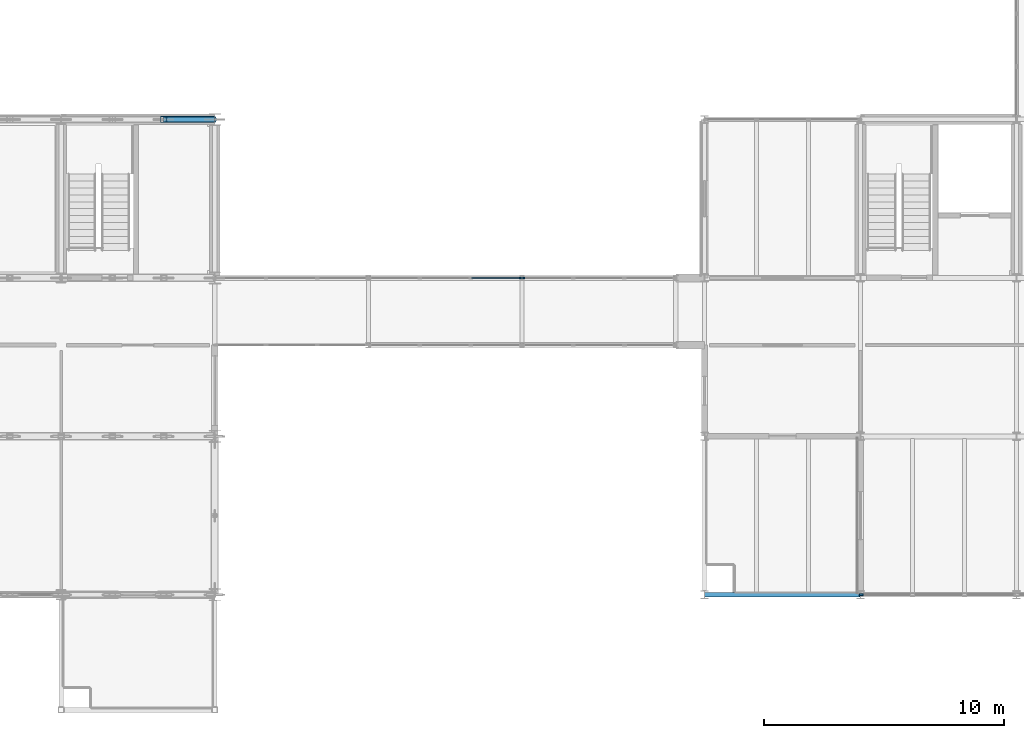
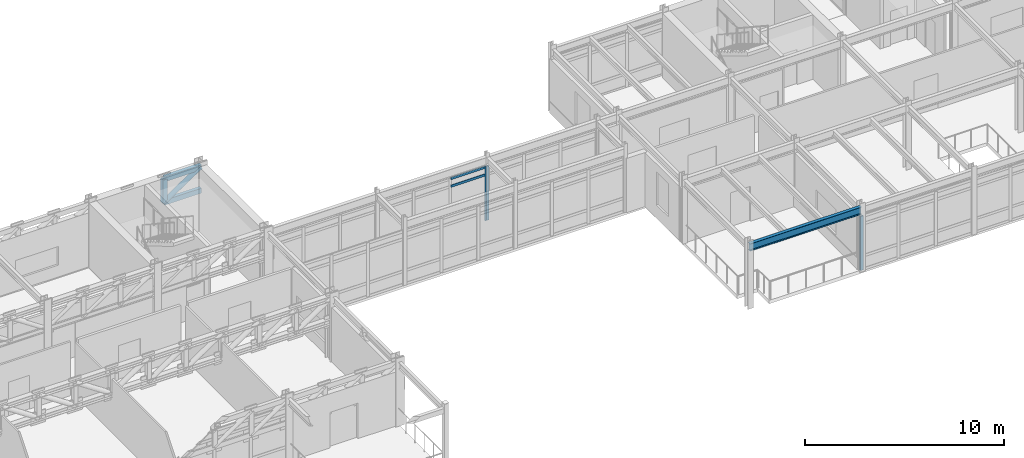
# One storey, part 67 of 144: 9 members, 1 beam, 3 elements without a shape of their own.
"""IFC4 building model written with IfcOpenShell, lengths in metres."""

from ifc_helpers import new_model, si_unit, direction, frame, origin, origin_2d, place, context, subcontext, project, spatial, rectangle, hollow_rectangle, hollow_circle, i_section, extrude, material, layer, layer_set, material_profile, profile_set, type_object, element, aggregate, save


model = new_model("IFC4")

# Units and contexts
model_context = context("Model", 3, precision=1e-05, world=origin(), true_north=direction((0.0, 1.0)))
body_context = subcontext(model_context, "Body", "Model", "MODEL_VIEW")
ifc_project = project(units=[si_unit("LENGTHUNIT", "METRE"), si_unit("AREAUNIT", "SQUARE_METRE"), si_unit("VOLUMEUNIT", "CUBIC_METRE"), si_unit("PLANEANGLEUNIT", "RADIAN"), si_unit("MASSUNIT", "GRAM", prefix="KILO")], contexts=[model_context])

# Site, building, storey
site_placement = place(None, origin())
site = spatial("IfcSite", under=ifc_project, at=site_placement, CompositionType="ELEMENT")
building_placement = place(site_placement, origin())
building = spatial("IfcBuilding", under=site, at=building_placement, Name="Trelmorton Wharf Fire Station", CompositionType="ELEMENT")
storey_placement = place(building_placement, frame((0.0, 0.0, 5.39990234375)))
storey = spatial("IfcBuildingStorey", under=building, at=storey_placement, Name="L01", CompositionType="ELEMENT", Elevation=5.39990234375)

# Curtain wall, member
ifc_material_1 = material(Name="Anodised aluminium AW-6063", Category="aluminium")
ifc_layer_1 = layer(ifc_material_1, 0.139892578125)
ifc_layer_set_1 = layer_set([ifc_layer_1], Name="Anodised aluminium AW-6063")
curtain_wall_type_1 = type_object("IfcCurtainWallType", Name="CW_BRDG_A", PredefinedType="USERDEFINED", material=ifc_layer_set_1)
curtain_wall_1_placement = place(storey_placement, origin())
curtain_wall_1 = element("IfcCurtainWall", 1, at=curtain_wall_1_placement, inside=storey, type_object=curtain_wall_type_1, Name="CW-BR-L01-157", ObjectType="UNITISED CURTAIN WALL", PredefinedType="USERDEFINED")
ifc_material_profile_1 = material_profile(ifc_material_1, rectangle(XDim=0.06494140625, YDim=0.159912109375, at=origin_2d()), Name="ALU-65x160")
ifc_profile_set_1 = profile_set([ifc_material_profile_1], Name="Anodised aluminium AW-6063")
member_type_1 = type_object("IfcMemberType", Name="CWM_65x160", PredefinedType="MULLION", material=ifc_profile_set_1)
member_1_placement = place(storey_placement, frame((96.364990234375, 21.0, 0.0), z_axis=(0.0, 0.0, 1.0), x_axis=(0.0, 1.0, 0.0)))
member_1 = element("IfcMember", 2, at=member_1_placement, type_object=member_type_1, Name="CW4 mullion 4", PredefinedType="MULLION", context=body_context, shape_type="SweptSolid", body=[
    extrude(rectangle(XDim=0.06494140625, YDim=0.159912109375, at=origin_2d()), origin(), (0.0, 0.0, 1.0), 3.320068359375),
])

curtain_wall_2_placement = place(storey_placement, origin())
curtain_wall_2 = element("IfcCurtainWall", 3, at=curtain_wall_2_placement, inside=storey, type_object=curtain_wall_type_1, Name="CW-BR-L01-159", ObjectType="UNITISED CURTAIN WALL", PredefinedType="USERDEFINED")
member_2_placement = place(storey_placement, frame((96.43505859375, 21.0, 0.0), z_axis=(0.0, 0.0, 1.0), x_axis=(0.0, 1.0, 0.0)))
member_2 = element("IfcMember", 4, at=member_2_placement, type_object=member_type_1, Name="CW4 mullion 1", PredefinedType="MULLION", context=body_context, shape_type="SweptSolid", body=[
    extrude(rectangle(XDim=0.06494140625, YDim=0.159912109375, at=origin_2d()), origin(), (0.0, 0.0, 1.0), 3.320068359375),
])
aggregate(curtain_wall_2, [member_2])

ifc_layer_2 = layer(ifc_material_1, 0.175048828125)
ifc_layer_set_2 = layer_set([ifc_layer_2], Name="Anodised aluminium AW-6063")
curtain_wall_type_2 = type_object("IfcCurtainWallType", Name="CW_CHIC_B", PredefinedType="USERDEFINED", material=ifc_layer_set_2)
curtain_wall_3_placement = place(storey_placement, origin())
curtain_wall_3 = element("IfcCurtainWall", 5, at=curtain_wall_3_placement, inside=storey, type_object=curtain_wall_type_2, Name="CW-V5-L01-038", ObjectType="CHICAGO BAY CURTAIN WALL", PredefinedType="USERDEFINED")
ifc_material_profile_2 = material_profile(ifc_material_1, rectangle(XDim=0.074951171875, YDim=0.175048828125, at=origin_2d()), Name="ALU-75x175")
ifc_profile_set_2 = profile_set([ifc_material_profile_2], Name="Anodised aluminium AW-6063")
member_type_2 = type_object("IfcMemberType", Name="CWM_75x175", PredefinedType="MULLION", material=ifc_profile_set_2)
member_3_placement = place(storey_placement, frame((110.534912109375, 7.800048828125, 0.0), z_axis=(0.0, 0.0, 1.0), x_axis=(0.0, -1.0, 0.0)))
member_3 = element("IfcMember", 6, at=member_3_placement, type_object=member_type_2, Name="CW2 mullion 4", PredefinedType="MULLION", context=body_context, shape_type="SweptSolid", body=[
    extrude(rectangle(XDim=0.074951171875, YDim=0.175048828125, at=origin_2d()), origin(), (0.0, 0.0, 1.0), 3.320068359375),
])
aggregate(curtain_wall_3, [member_3])

# Member
ifc_material_profile_3 = material_profile(ifc_material_1, rectangle(XDim=0.06494140625, YDim=0.139892578125, at=origin_2d()), Name="ALU-65x140")
ifc_profile_set_3 = profile_set([ifc_material_profile_3], Name="Anodised aluminium AW-6063")
member_type_3 = type_object("IfcMemberType", Name="CWT_65x140", PredefinedType="USERDEFINED", material=ifc_profile_set_3)
member_4_placement = place(storey_placement, frame((94.294921875, 21.0, 2.820068359375), z_axis=(1.0, 0.0, 0.0), x_axis=(0.0, 1.0, 0.0)))
member_4 = element("IfcMember", 7, at=member_4_placement, type_object=member_type_3, Name="CW4 transom 3.3", ObjectType="TRANSOM", PredefinedType="USERDEFINED", context=body_context, shape_type="SweptSolid", body=[
    extrude(rectangle(XDim=0.06494140625, YDim=0.139892578125, at=origin_2d()), origin(), (0.0, 0.0, 1.0), 2.0400390625),
])

member_5_placement = place(storey_placement, frame((94.294921875, 21.0, 3.2900390625), z_axis=(1.0, 0.0, 0.0), x_axis=(0.0, 1.0, 0.0)))
member_5 = element("IfcMember", 8, at=member_5_placement, type_object=member_type_3, Name="CW4 transom 3.4", ObjectType="TRANSOM", PredefinedType="USERDEFINED", context=body_context, shape_type="SweptSolid", body=[
    extrude(rectangle(XDim=0.06494140625, YDim=0.139892578125, at=origin_2d()), origin(), (0.0, 0.0, 1.0), 2.0400390625),
])

aggregate(curtain_wall_1, [member_1, member_4, member_5])

# Beam
ifc_material_2 = material(Name="Steel Grade 350", Category="steel")
ifc_material_profile_4 = material_profile(ifc_material_2, i_section(OverallWidth=0.18994140625, OverallDepth=0.45703125, WebThickness=0.009033203125, FlangeThickness=0.014404296875, FilletRadius=0.011474609375, at=origin_2d()), Name="460UB74.6")
ifc_profile_set_4 = profile_set([ifc_material_profile_4], Name="Steel Grade 350")
beam_type = type_object("IfcBeamType", Name="SP_460UB75", PredefinedType="SPANDREL", material=ifc_profile_set_4)
beam_placement = place(storey_placement, frame((104.005859375, 7.800048828125, 3.70166015625), z_axis=(1.0, 0.0, 0.0), x_axis=(0.0, 1.0, 0.0)))
element("IfcBeam", 9, at=beam_placement, inside=storey, type_object=beam_type, Name="BM-L01-0414", PredefinedType="SPANDREL", context=body_context, shape_type="SweptSolid", body=[
    extrude(i_section(OverallWidth=0.18994140625, OverallDepth=0.45703125, WebThickness=0.009033203125, FlangeThickness=0.014404296875, FilletRadius=0.011474609375, at=origin_2d()), origin(), (0.0, 0.0, 1.0), 6.48828125),
])

# Members
ifc_material_3 = material(Name="Steel C450L0 (450 MPa)", Category="steel")
ifc_material_profile_5 = material_profile(ifc_material_3, hollow_rectangle(XDim=0.199951171875, YDim=0.300048828125, WallThickness=0.012451171875, at=origin_2d()), Name="300x200x12.5RHS")
ifc_profile_set_5 = profile_set([ifc_material_profile_5], Name="Steel C450L0 (450 MPa)")
member_type_4 = type_object("IfcMemberType", Name="TR_CHORD_300RHS", PredefinedType="CHORD", material=ifc_profile_set_5)
for number, where, z_axis, x_axis, name in (
    (10, (81.466796875, 27.60009765625, 2.35009765625), (1.0, 0.0, 0.0), (0.0, 1.0, 0.0), "Transfer Truss TT4 Bottom Chord 12"),
    (11, (81.466796875, 27.60009765625, 3.780029296875), (1.0, 0.0, 0.0), (0.0, 1.0, 0.0), "Transfer Truss TT4 Top Chord 12"),
):
    element("IfcMember", number, at=place(storey_placement, frame(where, z_axis=z_axis, x_axis=x_axis)), inside=storey, type_object=member_type_4, Name=name, PredefinedType="CHORD", context=body_context, shape_type="SweptSolid", body=[
        extrude(hollow_rectangle(XDim=0.199951171875, YDim=0.300048828125, WallThickness=0.012451171875, at=origin_2d()), origin(), (0.0, 0.0, 1.0), 2.125244140625),
    ])
ifc_material_4 = material(Name="Steel C350L0 (350 MPa)", Category="steel")
ifc_material_profile_6 = material_profile(ifc_material_4, hollow_circle(Radius=0.136474609375, WallThickness=0.00927734375, at=origin_2d()), Name="273.1x9.3CHS")
ifc_profile_set_6 = profile_set([ifc_material_profile_6], Name="Steel C350L0 (350 MPa)")
member_type_5 = type_object("IfcMemberType", Name="TR_DIAG_273CHS", PredefinedType="STRUT", material=ifc_profile_set_6)
member_6_placement = place(storey_placement, frame((81.466796875, 27.60009765625, 2.35009765625), z_axis=(0.829681979405, 0.0, 0.558236341571), x_axis=(0.0, 1.0, 0.0)))
element("IfcMember", 12, at=member_6_placement, inside=storey, type_object=member_type_5, Name="TT4-DG-12", PredefinedType="STRUT", context=body_context, shape_type="SweptSolid", body=[
    extrude(hollow_circle(Radius=0.136474609375, WallThickness=0.00927734375, at=origin_2d()), origin(), (0.0, 0.0, 1.0), 2.5615234375),
])
ifc_material_profile_7 = material_profile(ifc_material_3, hollow_rectangle(XDim=0.25, YDim=0.25, WallThickness=0.012451171875, at=origin_2d()), Name="250x250x12.5SHS")
ifc_profile_set_7 = profile_set([ifc_material_profile_7], Name="Steel C450L0 (450 MPa)")
member_type_6 = type_object("IfcMemberType", Name="TR_POST_250SHS", PredefinedType="POST", material=ifc_profile_set_7)
member_7_placement = place(storey_placement, frame((81.466796875, 27.60009765625, 2.35009765625), z_axis=(0.0, 0.0, 1.0), x_axis=(1.0, 0.0, 0.0)))
element("IfcMember", 13, at=member_7_placement, inside=storey, type_object=member_type_6, Name="TT4-VP-11", PredefinedType="POST", context=body_context, shape_type="SweptSolid", body=[
    extrude(hollow_rectangle(XDim=0.25, YDim=0.25, WallThickness=0.012451171875, at=origin_2d()), origin(), (0.0, 0.0, 1.0), 1.429931640625),
])

save(model, "model.ifc")
